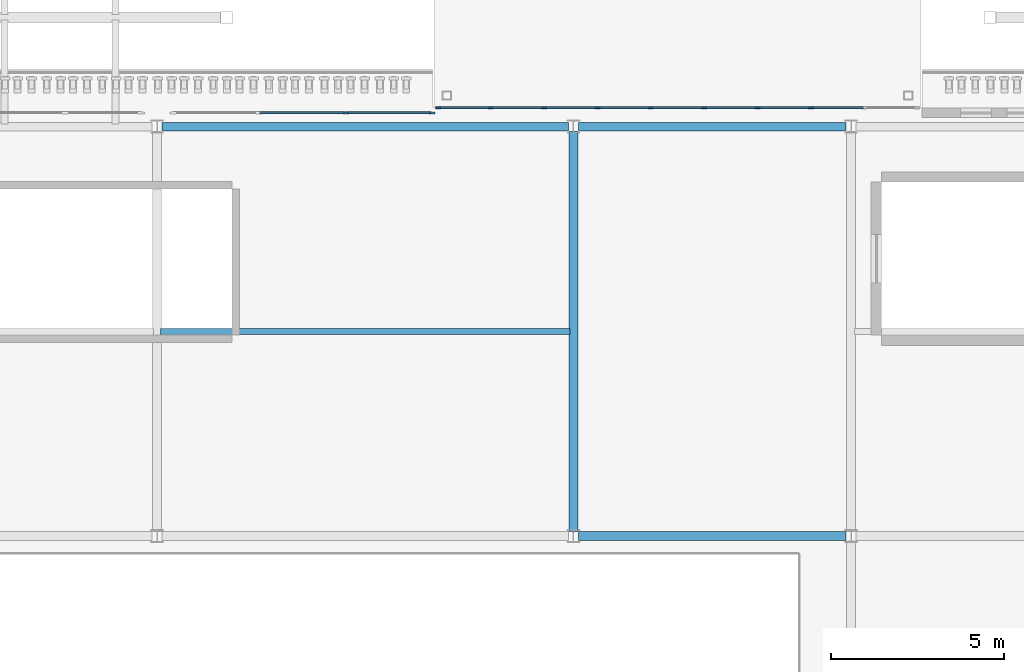
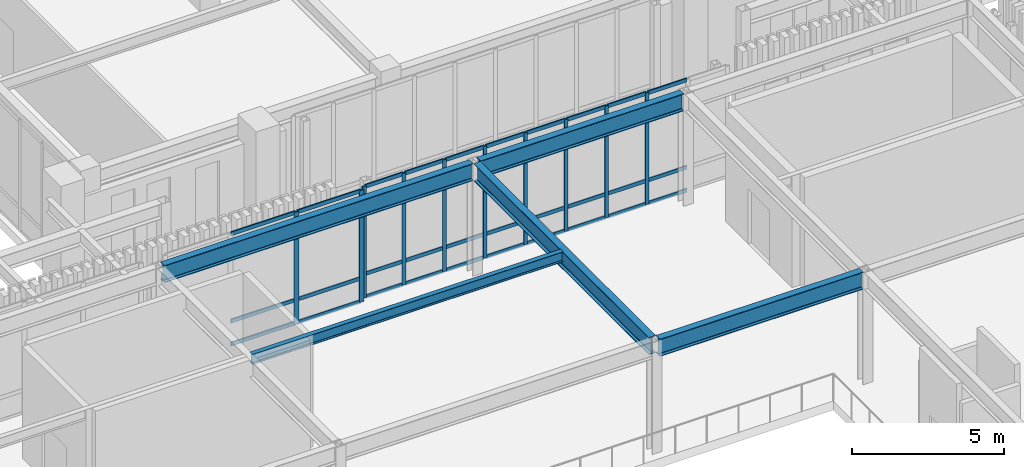
# One storey, part 58 of 126: 40 members, 5 beams, 2 elements without a shape of their own.
"""IFC4 building model written with IfcOpenShell, lengths in metres."""

from ifc_helpers import new_model, si_unit, derived_unit, direction, frame, origin, origin_2d, place, context, subcontext, project, spatial, rectangle, i_section, extrude, material, layer, layer_set, material_profile, profile_set, type_object, element, aggregate, save


model = new_model("IFC4")

# Units and contexts
model_context = context("Model", 3, precision=1e-05, world=origin(), true_north=direction((0.0, 1.0)))
body_context = subcontext(model_context, "Body", "Model", "MODEL_VIEW")
ifc_project = project(units=[si_unit("LENGTHUNIT", "METRE"), si_unit("AREAUNIT", "SQUARE_METRE"), si_unit("VOLUMEUNIT", "CUBIC_METRE"), si_unit("PLANEANGLEUNIT", "RADIAN"), si_unit("MASSUNIT", "GRAM", prefix="KILO"), derived_unit("THERMALTRANSMITTANCEUNIT", [(si_unit("MASSUNIT", "GRAM", prefix="KILO"), 1), (si_unit("TIMEUNIT", "SECOND"), -3), (si_unit("THERMODYNAMICTEMPERATUREUNIT", "KELVIN"), -1)])], contexts=[model_context])

# Site, building, storey
site_placement = place(None, origin())
site = spatial("IfcSite", under=ifc_project, at=site_placement, CompositionType="ELEMENT")
building_placement = place(site_placement, origin())
building = spatial("IfcBuilding", under=site, at=building_placement, Name="Valcora Ridge Arena", CompositionType="ELEMENT")
storey_placement = place(building_placement, frame((0.0, 0.0, 11.39990234375)))
storey = spatial("IfcBuildingStorey", under=building, at=storey_placement, Name="L02", CompositionType="ELEMENT", Elevation=11.39990234375)

# Beams
ifc_material_1 = material(Name="Steel ASTM A572 Grade 50", Category="steel")
ifc_material_profile_1 = material_profile(ifc_material_1, i_section(OverallWidth=0.256103515625, OverallDepth=0.693115234375, WebThickness=0.014404296875, FlangeThickness=0.023681640625, FilletRadius=0.02001953125, at=origin_2d()), Name="W27X114")
ifc_profile_set_1 = profile_set([ifc_material_profile_1], Name="Steel ASTM A572 Grade 50")
beam_type_1 = type_object("IfcBeamType", Name="TY-BEAM-G-W27X114-X", PredefinedType="BEAM", material=ifc_profile_set_1)
beam_1_placement = place(storey_placement, frame((168.139892578125, 66.0, 4.133544921875), z_axis=(1.0, 0.0, 0.0), x_axis=(0.0, 1.0, 0.0)))
element("IfcBeam", 1, at=beam_1_placement, inside=storey, type_object=beam_type_1, Name="G-W27X114-X BEM-G-W27X114-X-0050", PredefinedType="BEAM", context=body_context, shape_type="SweptSolid", body=[
    extrude(i_section(OverallWidth=0.256103515625, OverallDepth=0.693115234375, WebThickness=0.014404296875, FlangeThickness=0.023681640625, FilletRadius=0.02001953125, at=origin_2d()), origin(), (0.0, 0.0, 1.0), 7.72021484375),
])
ifc_material_profile_2 = material_profile(ifc_material_1, i_section(OverallWidth=0.256103515625, OverallDepth=0.693115234375, WebThickness=0.014404296875, FlangeThickness=0.023681640625, FilletRadius=0.02001953125, at=origin_2d()), Name="W27X114")
ifc_profile_set_2 = profile_set([ifc_material_profile_2], Name="Steel ASTM A572 Grade 50")
beam_type_2 = type_object("IfcBeamType", Name="TY-BEAM-G-W27X114-Y", PredefinedType="BEAM", material=ifc_profile_set_2)
beam_2_placement = place(storey_placement, frame((168.0, 66.139892578125, 4.133544921875), z_axis=(0.0, 1.0, 0.0), x_axis=(-1.0, 0.0, 0.0)))
element("IfcBeam", 2, at=beam_2_placement, inside=storey, type_object=beam_type_2, Name="G-W27X114-Y BEM-G-W27X114-Y-0074", PredefinedType="BEAM", context=body_context, shape_type="SweptSolid", body=[
    extrude(i_section(OverallWidth=0.256103515625, OverallDepth=0.693115234375, WebThickness=0.014404296875, FlangeThickness=0.023681640625, FilletRadius=0.02001953125, at=origin_2d()), origin(), (0.0, 0.0, 1.0), 11.52001953125),
])
ifc_material_profile_3 = material_profile(ifc_material_1, i_section(OverallWidth=0.177978515625, OverallDepth=0.406005859375, WebThickness=0.0078125, FlangeThickness=0.0126953125, FilletRadius=0.013916015625, at=origin_2d()), Name="W16X40")
ifc_profile_set_3 = profile_set([ifc_material_profile_3], Name="Steel ASTM A572 Grade 50")
beam_type_3 = type_object("IfcBeamType", Name="TY-BEAM-J-W16X40", PredefinedType="JOIST", material=ifc_profile_set_3)
beam_3_placement = place(storey_placement, frame((156.10009765625, 71.89990234375, 4.277099609375), z_axis=(1.0, 0.0, 0.0), x_axis=(0.0, 1.0, 0.0)))
element("IfcBeam", 3, at=beam_3_placement, inside=storey, type_object=beam_type_3, Name="J-W16X40 BEM-J-W16X40-0020", PredefinedType="JOIST", context=body_context, shape_type="SweptSolid", body=[
    extrude(i_section(OverallWidth=0.177978515625, OverallDepth=0.406005859375, WebThickness=0.0078125, FlangeThickness=0.0126953125, FilletRadius=0.013916015625, at=origin_2d()), origin(), (0.0, 0.0, 1.0), 11.7998046875),
])
ifc_material_profile_4 = material_profile(ifc_material_1, i_section(OverallWidth=0.256103515625, OverallDepth=0.693115234375, WebThickness=0.014404296875, FlangeThickness=0.023681640625, FilletRadius=0.02001953125, at=origin_2d()), Name="W27X114")
ifc_profile_set_4 = profile_set([ifc_material_profile_4], Name="Steel ASTM A572 Grade 50")
beam_type_4 = type_object("IfcBeamType", Name="TY-BEAM-SP-W27X114", PredefinedType="SPANDREL", material=ifc_profile_set_4)
beam_4_placement = place(storey_placement, frame((156.139892578125, 77.800048828125, 4.133544921875), z_axis=(1.0, 0.0, 0.0), x_axis=(0.0, 1.0, 0.0)))
element("IfcBeam", 4, at=beam_4_placement, inside=storey, type_object=beam_type_4, Name="SP-W27X114 BEM-SP-W27X114-0028", PredefinedType="SPANDREL", context=body_context, shape_type="SweptSolid", body=[
    extrude(i_section(OverallWidth=0.256103515625, OverallDepth=0.693115234375, WebThickness=0.014404296875, FlangeThickness=0.023681640625, FilletRadius=0.02001953125, at=origin_2d()), origin(), (0.0, 0.0, 1.0), 11.72021484375),
])
beam_5_placement = place(storey_placement, frame((168.139892578125, 77.800048828125, 4.133544921875), z_axis=(1.0, 0.0, 0.0), x_axis=(0.0, 1.0, 0.0)))
element("IfcBeam", 5, at=beam_5_placement, inside=storey, type_object=beam_type_4, Name="SP-W27X114 BEM-SP-W27X114-0029", PredefinedType="SPANDREL", context=body_context, shape_type="SweptSolid", body=[
    extrude(i_section(OverallWidth=0.256103515625, OverallDepth=0.693115234375, WebThickness=0.014404296875, FlangeThickness=0.023681640625, FilletRadius=0.02001953125, at=origin_2d()), origin(), (0.0, 0.0, 1.0), 7.72021484375),
])

# Curtain wall, members
ifc_material_2 = material(Name="Anodised dark bronze architectural aluminium 6063-T6", Category="aluminium")
ifc_layer_1 = layer(ifc_material_2, 0.14990234375, Name="Anodised dark bronze architectural aluminium 6063-T6")
ifc_layer_set_1 = layer_set([ifc_layer_1], Name="Anodised dark bronze architectural aluminium 6063-T6")
curtain_wall_type_1 = type_object("IfcCurtainWallType", Name="TY-CURTAINWALL-CW-BRG-138X45", PredefinedType="NOTDEFINED", material=ifc_layer_set_1)
curtain_wall_1_placement = place(storey_placement, origin())
curtain_wall_1 = element("IfcCurtainWall", 6, at=curtain_wall_1_placement, inside=storey, type_object=curtain_wall_type_1, Name="CW-BRG-138X45 CW-0358", PredefinedType="NOTDEFINED")
ifc_material_profile_5 = material_profile(ifc_material_2, rectangle(XDim=0.050048828125, YDim=0.14990234375, at=origin_2d()), Name="ALU MULLION 50x150")
ifc_profile_set_5 = profile_set([ifc_material_profile_5], Name="Anodised dark bronze architectural aluminium 6063-T6")
member_type_1 = type_object("IfcMemberType", Name="TY-MEM-CWM-50x150", PredefinedType="MULLION", material=ifc_profile_set_5)
member_1_placement = place(storey_placement, frame((164.10498046875, 78.35009765625, 0.0), z_axis=(0.0, 0.0, 1.0), x_axis=(0.0, 1.0, 0.0)))
member_1 = element("IfcMember", 7, at=member_1_placement, type_object=member_type_1, Name="CW-0358/CWM-50x150/M00", PredefinedType="MULLION", context=body_context, shape_type="SweptSolid", body=[
    extrude(rectangle(XDim=0.050048828125, YDim=0.14990234375, at=origin_2d()), origin(), (0.0, 0.0, 1.0), 4.47998046875),
])
member_2_placement = place(storey_placement, frame((165.617919921875, 78.35009765625, 0.0), z_axis=(0.0, 0.0, 1.0), x_axis=(0.0, 1.0, 0.0)))
member_2 = element("IfcMember", 8, at=member_2_placement, type_object=member_type_1, Name="CW-0358/CWM-50x150/M01", PredefinedType="MULLION", context=body_context, shape_type="SweptSolid", body=[
    extrude(rectangle(XDim=0.050048828125, YDim=0.14990234375, at=origin_2d()), origin(), (0.0, 0.0, 1.0), 4.47998046875),
])
member_3_placement = place(storey_placement, frame((167.155517578125, 78.35009765625, 0.0), z_axis=(0.0, 0.0, 1.0), x_axis=(0.0, 1.0, 0.0)))
member_3 = element("IfcMember", 9, at=member_3_placement, type_object=member_type_1, Name="CW-0358/CWM-50x150/M02", PredefinedType="MULLION", context=body_context, shape_type="SweptSolid", body=[
    extrude(rectangle(XDim=0.050048828125, YDim=0.14990234375, at=origin_2d()), origin(), (0.0, 0.0, 1.0), 4.47998046875),
])
member_4_placement = place(storey_placement, frame((168.693359375, 78.35009765625, 0.0), z_axis=(0.0, 0.0, 1.0), x_axis=(0.0, 1.0, 0.0)))
member_4 = element("IfcMember", 10, at=member_4_placement, type_object=member_type_1, Name="CW-0358/CWM-50x150/M03", PredefinedType="MULLION", context=body_context, shape_type="SweptSolid", body=[
    extrude(rectangle(XDim=0.050048828125, YDim=0.14990234375, at=origin_2d()), origin(), (0.0, 0.0, 1.0), 4.47998046875),
])
member_5_placement = place(storey_placement, frame((170.231201171875, 78.35009765625, 0.0), z_axis=(0.0, 0.0, 1.0), x_axis=(0.0, 1.0, 0.0)))
member_5 = element("IfcMember", 11, at=member_5_placement, type_object=member_type_1, Name="CW-0358/CWM-50x150/M04", PredefinedType="MULLION", context=body_context, shape_type="SweptSolid", body=[
    extrude(rectangle(XDim=0.050048828125, YDim=0.14990234375, at=origin_2d()), origin(), (0.0, 0.0, 1.0), 4.47998046875),
])
member_6_placement = place(storey_placement, frame((171.768798828125, 78.35009765625, 0.0), z_axis=(0.0, 0.0, 1.0), x_axis=(0.0, 1.0, 0.0)))
member_6 = element("IfcMember", 12, at=member_6_placement, type_object=member_type_1, Name="CW-0358/CWM-50x150/M05", PredefinedType="MULLION", context=body_context, shape_type="SweptSolid", body=[
    extrude(rectangle(XDim=0.050048828125, YDim=0.14990234375, at=origin_2d()), origin(), (0.0, 0.0, 1.0), 4.47998046875),
])
member_7_placement = place(storey_placement, frame((173.306640625, 78.35009765625, 0.0), z_axis=(0.0, 0.0, 1.0), x_axis=(0.0, 1.0, 0.0)))
member_7 = element("IfcMember", 13, at=member_7_placement, type_object=member_type_1, Name="CW-0358/CWM-50x150/M06", PredefinedType="MULLION", context=body_context, shape_type="SweptSolid", body=[
    extrude(rectangle(XDim=0.050048828125, YDim=0.14990234375, at=origin_2d()), origin(), (0.0, 0.0, 1.0), 4.47998046875),
])
member_8_placement = place(storey_placement, frame((174.844482421875, 78.35009765625, 0.0), z_axis=(0.0, 0.0, 1.0), x_axis=(0.0, 1.0, 0.0)))
member_8 = element("IfcMember", 14, at=member_8_placement, type_object=member_type_1, Name="CW-0358/CWM-50x150/M07", PredefinedType="MULLION", context=body_context, shape_type="SweptSolid", body=[
    extrude(rectangle(XDim=0.050048828125, YDim=0.14990234375, at=origin_2d()), origin(), (0.0, 0.0, 1.0), 4.47998046875),
])

ifc_layer_2 = layer(ifc_material_2, 0.179931640625, Name="Anodised dark bronze architectural aluminium 6063-T6")
ifc_layer_set_2 = layer_set([ifc_layer_2], Name="Anodised dark bronze architectural aluminium 6063-T6")
curtain_wall_type_2 = type_object("IfcCurtainWallType", Name="TY-CURTAINWALL-CW-V2-GLAZ-075X45", PredefinedType="NOTDEFINED", material=ifc_layer_set_2)
curtain_wall_2_placement = place(storey_placement, origin())
curtain_wall_2 = element("IfcCurtainWall", 15, at=curtain_wall_2_placement, inside=storey, type_object=curtain_wall_type_2, Name="CW-V2-GLAZ-075X45 CW-0081", PredefinedType="NOTDEFINED")
ifc_material_profile_6 = material_profile(ifc_material_2, rectangle(XDim=0.06005859375, YDim=0.179931640625, at=origin_2d()), Name="ALU MULLION 60x180")
ifc_profile_set_6 = profile_set([ifc_material_profile_6], Name="Anodised dark bronze architectural aluminium 6063-T6")
member_type_2 = type_object("IfcMemberType", Name="TY-MEM-CWM-60x180", PredefinedType="MULLION", material=ifc_profile_set_6)
member_9_placement = place(storey_placement, frame((161.4423828125, 78.199951171875, 0.0), z_axis=(0.0, 0.0, 1.0), x_axis=(0.0, 1.0, 0.0)))
member_9 = element("IfcMember", 16, at=member_9_placement, type_object=member_type_2, Name="CW-0081/CWM-60x180/M02", PredefinedType="MULLION", context=body_context, shape_type="SweptSolid", body=[
    extrude(rectangle(XDim=0.06005859375, YDim=0.179931640625, at=origin_2d()), origin(), (0.0, 0.0, 1.0), 4.47998046875),
])
member_10_placement = place(storey_placement, frame((163.919921875, 78.199951171875, 0.0), z_axis=(0.0, 0.0, 1.0), x_axis=(0.0, 1.0, 0.0)))
member_10 = element("IfcMember", 17, at=member_10_placement, type_object=member_type_2, Name="CW-0081/CWM-60x180/M03", PredefinedType="MULLION", context=body_context, shape_type="SweptSolid", body=[
    extrude(rectangle(XDim=0.06005859375, YDim=0.179931640625, at=origin_2d()), origin(), (0.0, 0.0, 1.0), 4.47998046875),
])
ifc_material_profile_7 = material_profile(ifc_material_2, rectangle(XDim=0.050048828125, YDim=0.14990234375, at=origin_2d()), Name="ALU TRANSOM 50x150")
ifc_profile_set_7 = profile_set([ifc_material_profile_7], Name="Anodised dark bronze architectural aluminium 6063-T6")
member_type_3 = type_object("IfcMemberType", Name="TY-MEM-CWT-50x150", PredefinedType="USERDEFINED", material=ifc_profile_set_7)
member_11_placement = place(storey_placement, frame((158.965087890625, 78.199951171875, 0.025146484375), z_axis=(1.0, 0.0, 0.0), x_axis=(0.0, 1.0, 0.0)))
member_11 = element("IfcMember", 18, at=member_11_placement, type_object=member_type_3, Name="CW-0081/CWT-50x150/T01-00", ObjectType="TRANSOM", PredefinedType="USERDEFINED", context=body_context, shape_type="SweptSolid", body=[
    extrude(rectangle(XDim=0.050048828125, YDim=0.14990234375, at=origin_2d()), origin(), (0.0, 0.0, 1.0), 2.447021484375),
])
member_12_placement = place(storey_placement, frame((158.965087890625, 78.199951171875, 0.9501953125), z_axis=(1.0, 0.0, 0.0), x_axis=(0.0, 1.0, 0.0)))
member_12 = element("IfcMember", 19, at=member_12_placement, type_object=member_type_3, Name="CW-0081/CWT-50x150/T01-01", ObjectType="TRANSOM", PredefinedType="USERDEFINED", context=body_context, shape_type="SweptSolid", body=[
    extrude(rectangle(XDim=0.050048828125, YDim=0.14990234375, at=origin_2d()), origin(), (0.0, 0.0, 1.0), 2.447021484375),
])
member_13_placement = place(storey_placement, frame((158.965087890625, 78.199951171875, 4.455078125), z_axis=(1.0, 0.0, 0.0), x_axis=(0.0, 1.0, 0.0)))
member_13 = element("IfcMember", 20, at=member_13_placement, type_object=member_type_3, Name="CW-0081/CWT-50x150/T01-02", ObjectType="TRANSOM", PredefinedType="USERDEFINED", context=body_context, shape_type="SweptSolid", body=[
    extrude(rectangle(XDim=0.050048828125, YDim=0.14990234375, at=origin_2d()), origin(), (0.0, 0.0, 1.0), 2.447021484375),
])
member_14_placement = place(storey_placement, frame((161.471923828125, 78.199951171875, 0.025146484375), z_axis=(1.0, 0.0, 0.0), x_axis=(0.0, 1.0, 0.0)))
member_14 = element("IfcMember", 21, at=member_14_placement, type_object=member_type_3, Name="CW-0081/CWT-50x150/T02-00", ObjectType="TRANSOM", PredefinedType="USERDEFINED", context=body_context, shape_type="SweptSolid", body=[
    extrude(rectangle(XDim=0.050048828125, YDim=0.14990234375, at=origin_2d()), origin(), (0.0, 0.0, 1.0), 2.41796875),
])
member_15_placement = place(storey_placement, frame((161.471923828125, 78.199951171875, 0.9501953125), z_axis=(1.0, 0.0, 0.0), x_axis=(0.0, 1.0, 0.0)))
member_15 = element("IfcMember", 22, at=member_15_placement, type_object=member_type_3, Name="CW-0081/CWT-50x150/T02-01", ObjectType="TRANSOM", PredefinedType="USERDEFINED", context=body_context, shape_type="SweptSolid", body=[
    extrude(rectangle(XDim=0.050048828125, YDim=0.14990234375, at=origin_2d()), origin(), (0.0, 0.0, 1.0), 2.41796875),
])
member_16_placement = place(storey_placement, frame((161.471923828125, 78.199951171875, 4.455078125), z_axis=(1.0, 0.0, 0.0), x_axis=(0.0, 1.0, 0.0)))
member_16 = element("IfcMember", 23, at=member_16_placement, type_object=member_type_3, Name="CW-0081/CWT-50x150/T02-02", ObjectType="TRANSOM", PredefinedType="USERDEFINED", context=body_context, shape_type="SweptSolid", body=[
    extrude(rectangle(XDim=0.050048828125, YDim=0.14990234375, at=origin_2d()), origin(), (0.0, 0.0, 1.0), 2.41796875),
])
aggregate(curtain_wall_2, [member_9, member_10, member_11, member_12, member_13, member_14, member_15, member_16])

# Member
member_17_placement = place(storey_placement, frame((164.1298828125, 78.35009765625, 0.025146484375), z_axis=(1.0, 0.0, 0.0), x_axis=(0.0, 1.0, 0.0)))
member_17 = element("IfcMember", 24, at=member_17_placement, type_object=member_type_3, Name="CW-0358/CWT-50x150/T00-00", ObjectType="TRANSOM", PredefinedType="USERDEFINED", context=body_context, shape_type="SweptSolid", body=[
    extrude(rectangle(XDim=0.050048828125, YDim=0.14990234375, at=origin_2d()), origin(), (0.0, 0.0, 1.0), 1.463134765625),
])

member_18_placement = place(storey_placement, frame((164.1298828125, 78.35009765625, 0.9501953125), z_axis=(1.0, 0.0, 0.0), x_axis=(0.0, 1.0, 0.0)))
member_18 = element("IfcMember", 25, at=member_18_placement, type_object=member_type_3, Name="CW-0358/CWT-50x150/T00-01", ObjectType="TRANSOM", PredefinedType="USERDEFINED", context=body_context, shape_type="SweptSolid", body=[
    extrude(rectangle(XDim=0.050048828125, YDim=0.14990234375, at=origin_2d()), origin(), (0.0, 0.0, 1.0), 1.463134765625),
])

member_19_placement = place(storey_placement, frame((164.1298828125, 78.35009765625, 4.455078125), z_axis=(1.0, 0.0, 0.0), x_axis=(0.0, 1.0, 0.0)))
member_19 = element("IfcMember", 26, at=member_19_placement, type_object=member_type_3, Name="CW-0358/CWT-50x150/T00-02", ObjectType="TRANSOM", PredefinedType="USERDEFINED", context=body_context, shape_type="SweptSolid", body=[
    extrude(rectangle(XDim=0.050048828125, YDim=0.14990234375, at=origin_2d()), origin(), (0.0, 0.0, 1.0), 1.463134765625),
])

member_20_placement = place(storey_placement, frame((165.64306640625, 78.35009765625, 0.025146484375), z_axis=(1.0, 0.0, 0.0), x_axis=(0.0, 1.0, 0.0)))
member_20 = element("IfcMember", 27, at=member_20_placement, type_object=member_type_3, Name="CW-0358/CWT-50x150/T01-00", ObjectType="TRANSOM", PredefinedType="USERDEFINED", context=body_context, shape_type="SweptSolid", body=[
    extrude(rectangle(XDim=0.050048828125, YDim=0.14990234375, at=origin_2d()), origin(), (0.0, 0.0, 1.0), 1.488037109375),
])

member_21_placement = place(storey_placement, frame((165.64306640625, 78.35009765625, 0.9501953125), z_axis=(1.0, 0.0, 0.0), x_axis=(0.0, 1.0, 0.0)))
member_21 = element("IfcMember", 28, at=member_21_placement, type_object=member_type_3, Name="CW-0358/CWT-50x150/T01-01", ObjectType="TRANSOM", PredefinedType="USERDEFINED", context=body_context, shape_type="SweptSolid", body=[
    extrude(rectangle(XDim=0.050048828125, YDim=0.14990234375, at=origin_2d()), origin(), (0.0, 0.0, 1.0), 1.488037109375),
])

member_22_placement = place(storey_placement, frame((165.64306640625, 78.35009765625, 4.455078125), z_axis=(1.0, 0.0, 0.0), x_axis=(0.0, 1.0, 0.0)))
member_22 = element("IfcMember", 29, at=member_22_placement, type_object=member_type_3, Name="CW-0358/CWT-50x150/T01-02", ObjectType="TRANSOM", PredefinedType="USERDEFINED", context=body_context, shape_type="SweptSolid", body=[
    extrude(rectangle(XDim=0.050048828125, YDim=0.14990234375, at=origin_2d()), origin(), (0.0, 0.0, 1.0), 1.488037109375),
])

member_23_placement = place(storey_placement, frame((167.180908203125, 78.35009765625, 0.025146484375), z_axis=(1.0, 0.0, 0.0), x_axis=(0.0, 1.0, 0.0)))
member_23 = element("IfcMember", 30, at=member_23_placement, type_object=member_type_3, Name="CW-0358/CWT-50x150/T02-00", ObjectType="TRANSOM", PredefinedType="USERDEFINED", context=body_context, shape_type="SweptSolid", body=[
    extrude(rectangle(XDim=0.050048828125, YDim=0.14990234375, at=origin_2d()), origin(), (0.0, 0.0, 1.0), 1.487060546875),
])

member_24_placement = place(storey_placement, frame((167.180908203125, 78.35009765625, 0.9501953125), z_axis=(1.0, 0.0, 0.0), x_axis=(0.0, 1.0, 0.0)))
member_24 = element("IfcMember", 31, at=member_24_placement, type_object=member_type_3, Name="CW-0358/CWT-50x150/T02-01", ObjectType="TRANSOM", PredefinedType="USERDEFINED", context=body_context, shape_type="SweptSolid", body=[
    extrude(rectangle(XDim=0.050048828125, YDim=0.14990234375, at=origin_2d()), origin(), (0.0, 0.0, 1.0), 1.487060546875),
])

member_25_placement = place(storey_placement, frame((167.180908203125, 78.35009765625, 4.455078125), z_axis=(1.0, 0.0, 0.0), x_axis=(0.0, 1.0, 0.0)))
member_25 = element("IfcMember", 32, at=member_25_placement, type_object=member_type_3, Name="CW-0358/CWT-50x150/T02-02", ObjectType="TRANSOM", PredefinedType="USERDEFINED", context=body_context, shape_type="SweptSolid", body=[
    extrude(rectangle(XDim=0.050048828125, YDim=0.14990234375, at=origin_2d()), origin(), (0.0, 0.0, 1.0), 1.487060546875),
])

member_26_placement = place(storey_placement, frame((168.718017578125, 78.35009765625, 0.025146484375), z_axis=(1.0, 0.0, 0.0), x_axis=(0.0, 1.0, 0.0)))
member_26 = element("IfcMember", 33, at=member_26_placement, type_object=member_type_3, Name="CW-0358/CWT-50x150/T03-00", ObjectType="TRANSOM", PredefinedType="USERDEFINED", context=body_context, shape_type="SweptSolid", body=[
    extrude(rectangle(XDim=0.050048828125, YDim=0.14990234375, at=origin_2d()), origin(), (0.0, 0.0, 1.0), 1.488037109375),
])

member_27_placement = place(storey_placement, frame((168.718017578125, 78.35009765625, 0.9501953125), z_axis=(1.0, 0.0, 0.0), x_axis=(0.0, 1.0, 0.0)))
member_27 = element("IfcMember", 34, at=member_27_placement, type_object=member_type_3, Name="CW-0358/CWT-50x150/T03-01", ObjectType="TRANSOM", PredefinedType="USERDEFINED", context=body_context, shape_type="SweptSolid", body=[
    extrude(rectangle(XDim=0.050048828125, YDim=0.14990234375, at=origin_2d()), origin(), (0.0, 0.0, 1.0), 1.488037109375),
])

member_28_placement = place(storey_placement, frame((168.718017578125, 78.35009765625, 4.455078125), z_axis=(1.0, 0.0, 0.0), x_axis=(0.0, 1.0, 0.0)))
member_28 = element("IfcMember", 35, at=member_28_placement, type_object=member_type_3, Name="CW-0358/CWT-50x150/T03-02", ObjectType="TRANSOM", PredefinedType="USERDEFINED", context=body_context, shape_type="SweptSolid", body=[
    extrude(rectangle(XDim=0.050048828125, YDim=0.14990234375, at=origin_2d()), origin(), (0.0, 0.0, 1.0), 1.488037109375),
])

member_29_placement = place(storey_placement, frame((170.256103515625, 78.35009765625, 0.025146484375), z_axis=(1.0, 0.0, 0.0), x_axis=(0.0, 1.0, 0.0)))
member_29 = element("IfcMember", 36, at=member_29_placement, type_object=member_type_3, Name="CW-0358/CWT-50x150/T04-00", ObjectType="TRANSOM", PredefinedType="USERDEFINED", context=body_context, shape_type="SweptSolid", body=[
    extrude(rectangle(XDim=0.050048828125, YDim=0.14990234375, at=origin_2d()), origin(), (0.0, 0.0, 1.0), 1.48779296875),
])

member_30_placement = place(storey_placement, frame((170.256103515625, 78.35009765625, 0.9501953125), z_axis=(1.0, 0.0, 0.0), x_axis=(0.0, 1.0, 0.0)))
member_30 = element("IfcMember", 37, at=member_30_placement, type_object=member_type_3, Name="CW-0358/CWT-50x150/T04-01", ObjectType="TRANSOM", PredefinedType="USERDEFINED", context=body_context, shape_type="SweptSolid", body=[
    extrude(rectangle(XDim=0.050048828125, YDim=0.14990234375, at=origin_2d()), origin(), (0.0, 0.0, 1.0), 1.48779296875),
])

member_31_placement = place(storey_placement, frame((170.256103515625, 78.35009765625, 4.455078125), z_axis=(1.0, 0.0, 0.0), x_axis=(0.0, 1.0, 0.0)))
member_31 = element("IfcMember", 38, at=member_31_placement, type_object=member_type_3, Name="CW-0358/CWT-50x150/T04-02", ObjectType="TRANSOM", PredefinedType="USERDEFINED", context=body_context, shape_type="SweptSolid", body=[
    extrude(rectangle(XDim=0.050048828125, YDim=0.14990234375, at=origin_2d()), origin(), (0.0, 0.0, 1.0), 1.48779296875),
])

member_32_placement = place(storey_placement, frame((171.7939453125, 78.35009765625, 0.025146484375), z_axis=(1.0, 0.0, 0.0), x_axis=(0.0, 1.0, 0.0)))
member_32 = element("IfcMember", 39, at=member_32_placement, type_object=member_type_3, Name="CW-0358/CWT-50x150/T05-00", ObjectType="TRANSOM", PredefinedType="USERDEFINED", context=body_context, shape_type="SweptSolid", body=[
    extrude(rectangle(XDim=0.050048828125, YDim=0.14990234375, at=origin_2d()), origin(), (0.0, 0.0, 1.0), 1.488037109375),
])

member_33_placement = place(storey_placement, frame((171.7939453125, 78.35009765625, 0.9501953125), z_axis=(1.0, 0.0, 0.0), x_axis=(0.0, 1.0, 0.0)))
member_33 = element("IfcMember", 40, at=member_33_placement, type_object=member_type_3, Name="CW-0358/CWT-50x150/T05-01", ObjectType="TRANSOM", PredefinedType="USERDEFINED", context=body_context, shape_type="SweptSolid", body=[
    extrude(rectangle(XDim=0.050048828125, YDim=0.14990234375, at=origin_2d()), origin(), (0.0, 0.0, 1.0), 1.488037109375),
])

member_34_placement = place(storey_placement, frame((171.7939453125, 78.35009765625, 4.455078125), z_axis=(1.0, 0.0, 0.0), x_axis=(0.0, 1.0, 0.0)))
member_34 = element("IfcMember", 41, at=member_34_placement, type_object=member_type_3, Name="CW-0358/CWT-50x150/T05-02", ObjectType="TRANSOM", PredefinedType="USERDEFINED", context=body_context, shape_type="SweptSolid", body=[
    extrude(rectangle(XDim=0.050048828125, YDim=0.14990234375, at=origin_2d()), origin(), (0.0, 0.0, 1.0), 1.488037109375),
])

member_35_placement = place(storey_placement, frame((173.33203125, 78.35009765625, 0.025146484375), z_axis=(1.0, 0.0, 0.0), x_axis=(0.0, 1.0, 0.0)))
member_35 = element("IfcMember", 42, at=member_35_placement, type_object=member_type_3, Name="CW-0358/CWT-50x150/T06-00", ObjectType="TRANSOM", PredefinedType="USERDEFINED", context=body_context, shape_type="SweptSolid", body=[
    extrude(rectangle(XDim=0.050048828125, YDim=0.14990234375, at=origin_2d()), origin(), (0.0, 0.0, 1.0), 1.487060546875),
])

member_36_placement = place(storey_placement, frame((173.33203125, 78.35009765625, 0.9501953125), z_axis=(1.0, 0.0, 0.0), x_axis=(0.0, 1.0, 0.0)))
member_36 = element("IfcMember", 43, at=member_36_placement, type_object=member_type_3, Name="CW-0358/CWT-50x150/T06-01", ObjectType="TRANSOM", PredefinedType="USERDEFINED", context=body_context, shape_type="SweptSolid", body=[
    extrude(rectangle(XDim=0.050048828125, YDim=0.14990234375, at=origin_2d()), origin(), (0.0, 0.0, 1.0), 1.487060546875),
])

member_37_placement = place(storey_placement, frame((173.33203125, 78.35009765625, 4.455078125), z_axis=(1.0, 0.0, 0.0), x_axis=(0.0, 1.0, 0.0)))
member_37 = element("IfcMember", 44, at=member_37_placement, type_object=member_type_3, Name="CW-0358/CWT-50x150/T06-02", ObjectType="TRANSOM", PredefinedType="USERDEFINED", context=body_context, shape_type="SweptSolid", body=[
    extrude(rectangle(XDim=0.050048828125, YDim=0.14990234375, at=origin_2d()), origin(), (0.0, 0.0, 1.0), 1.487060546875),
])

member_38_placement = place(storey_placement, frame((174.868896484375, 78.35009765625, 0.025146484375), z_axis=(1.0, 0.0, 0.0), x_axis=(0.0, 1.0, 0.0)))
member_38 = element("IfcMember", 45, at=member_38_placement, type_object=member_type_3, Name="CW-0358/CWT-50x150/T07-00", ObjectType="TRANSOM", PredefinedType="USERDEFINED", context=body_context, shape_type="SweptSolid", body=[
    extrude(rectangle(XDim=0.050048828125, YDim=0.14990234375, at=origin_2d()), origin(), (0.0, 0.0, 1.0), 1.488037109375),
])

member_39_placement = place(storey_placement, frame((174.868896484375, 78.35009765625, 0.9501953125), z_axis=(1.0, 0.0, 0.0), x_axis=(0.0, 1.0, 0.0)))
member_39 = element("IfcMember", 46, at=member_39_placement, type_object=member_type_3, Name="CW-0358/CWT-50x150/T07-01", ObjectType="TRANSOM", PredefinedType="USERDEFINED", context=body_context, shape_type="SweptSolid", body=[
    extrude(rectangle(XDim=0.050048828125, YDim=0.14990234375, at=origin_2d()), origin(), (0.0, 0.0, 1.0), 1.488037109375),
])

member_40_placement = place(storey_placement, frame((174.868896484375, 78.35009765625, 4.455078125), z_axis=(1.0, 0.0, 0.0), x_axis=(0.0, 1.0, 0.0)))
member_40 = element("IfcMember", 47, at=member_40_placement, type_object=member_type_3, Name="CW-0358/CWT-50x150/T07-02", ObjectType="TRANSOM", PredefinedType="USERDEFINED", context=body_context, shape_type="SweptSolid", body=[
    extrude(rectangle(XDim=0.050048828125, YDim=0.14990234375, at=origin_2d()), origin(), (0.0, 0.0, 1.0), 1.488037109375),
])

aggregate(curtain_wall_1, [member_1, member_2, member_3, member_4, member_5, member_6, member_7, member_8, member_17, member_18, member_19, member_20, member_21, member_22, member_23, member_24, member_25, member_26, member_27, member_28, member_29, member_30, member_31, member_32, member_33, member_34, member_35, member_36, member_37, member_38, member_39, member_40])

save(model, "model.ifc")
